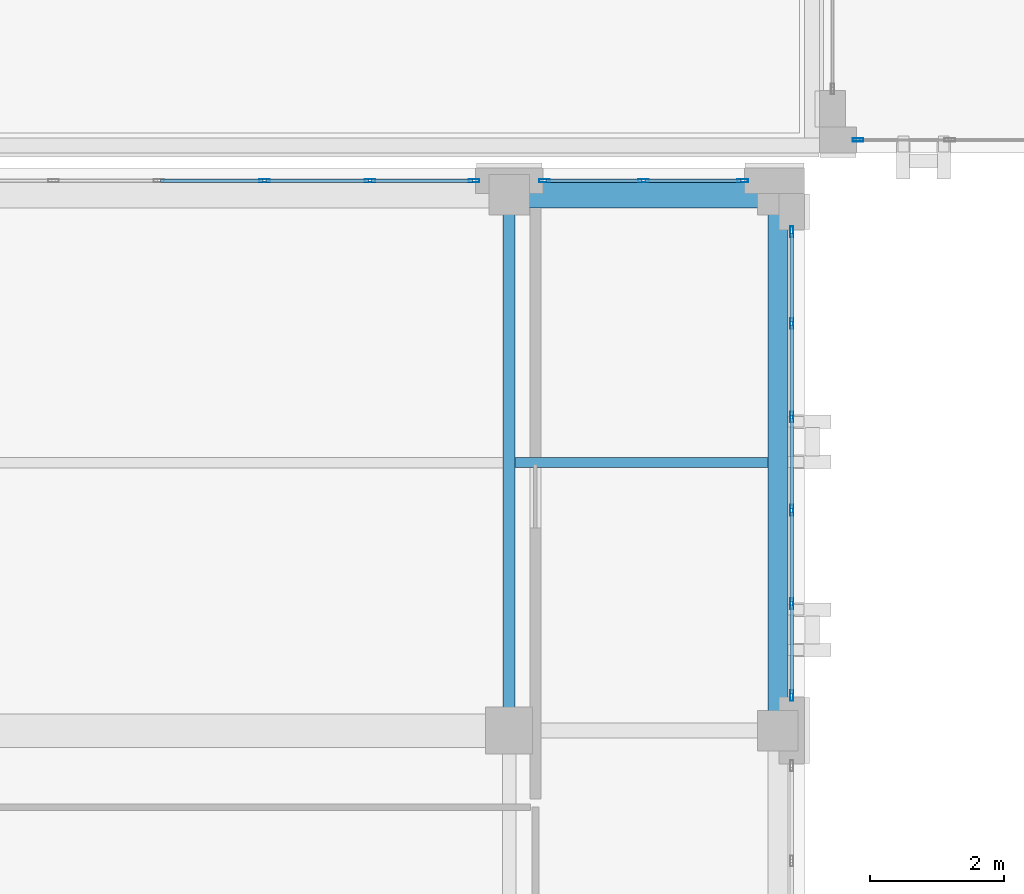
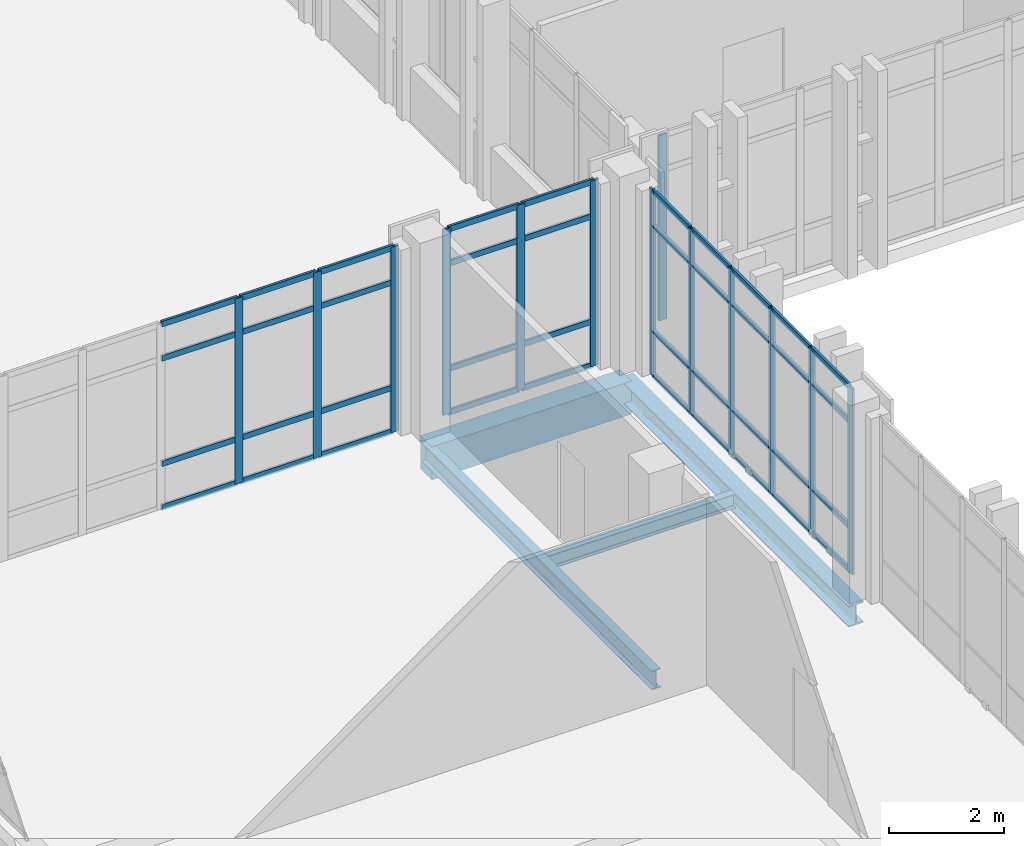
# One storey, part 38 of 90: 53 members, 4 beams, 4 elements without a shape of their own.
"""IFC4 building model written with IfcOpenShell, lengths in metres."""

from ifc_helpers import new_model, si_unit, direction, frame, origin, origin_2d, place, context, subcontext, project, spatial, rectangle, hollow_rectangle, i_section, extrude, material, layer, layer_set, material_profile, profile_set, type_object, element, aggregate, save


model = new_model("IFC4")

# Units and contexts
model_context = context("Model", 3, precision=1e-05, world=origin(), true_north=direction((0.0, 1.0)))
body_context = subcontext(model_context, "Body", "Model", "MODEL_VIEW")
ifc_project = project(units=[si_unit("LENGTHUNIT", "METRE"), si_unit("AREAUNIT", "SQUARE_METRE"), si_unit("VOLUMEUNIT", "CUBIC_METRE"), si_unit("PLANEANGLEUNIT", "RADIAN"), si_unit("MASSUNIT", "GRAM", prefix="KILO")], contexts=[model_context])

# Site, building, storey
site_placement = place(None, origin())
site = spatial("IfcSite", under=ifc_project, at=site_placement, CompositionType="ELEMENT")
building_placement = place(site_placement, origin())
building = spatial("IfcBuilding", under=site, at=building_placement, Name="Qalavern Law Courts", CompositionType="ELEMENT")
storey_placement = place(building_placement, frame((0.0, 0.0, 22.800048828125)))
storey = spatial("IfcBuildingStorey", under=building, at=storey_placement, Name="L05", CompositionType="ELEMENT", Elevation=22.800048828125)

# Curtain wall, members
ifc_material_1 = material(Name="Anodised aluminium and insulated glazing", Category="aluminium")
ifc_layer_1 = layer(ifc_material_1, 0.159912109375)
ifc_layer_set_1 = layer_set([ifc_layer_1], Name="Anodised aluminium and insulated glazing")
curtain_wall_type_1 = type_object("IfcCurtainWallType", Name="ENV-CW-CHAMB", PredefinedType="USERDEFINED", material=ifc_layer_set_1)
curtain_wall_1_placement = place(storey_placement, origin())
curtain_wall_1 = element("IfcCurtainWall", 1, at=curtain_wall_1_placement, inside=storey, type_object=curtain_wall_type_1, Name="V3 unitised curtain wall L05 east 7", ObjectType="UNITISED CURTAIN WALL", PredefinedType="USERDEFINED")
ifc_material_2 = material(Name="Anodised aluminium", Category="aluminium")
ifc_material_profile_1 = material_profile(ifc_material_2, hollow_rectangle(XDim=0.048095703125, YDim=0.159912109375, WallThickness=0.00390625, at=origin_2d()), Name="ALU MULLION 48x160")
ifc_profile_set_1 = profile_set([ifc_material_profile_1], Name="Anodised aluminium")
member_type_1 = type_object("IfcMemberType", Name="ENV-CWM-48x160", PredefinedType="MULLION", material=ifc_profile_set_1)
member_1_placement = place(storey_placement, frame((18.607421875, 88.1240234375, 0.0), z_axis=(0.0, 0.0, 1.0), x_axis=(-1.0, 0.0, 0.0)))
member_1 = element("IfcMember", 2, at=member_1_placement, type_object=member_type_1, Name="CW-04 mullion 1", PredefinedType="MULLION", context=body_context, shape_type="SweptSolid", body=[
    extrude(hollow_rectangle(XDim=0.048095703125, YDim=0.159912109375, WallThickness=0.00390625, at=origin_2d()), origin(), (0.0, 0.0, 1.0), 3.929931640625),
])
member_2_placement = place(storey_placement, frame((18.607421875, 89.489990234375, 0.0), z_axis=(0.0, 0.0, 1.0), x_axis=(-1.0, 0.0, 0.0)))
member_2 = element("IfcMember", 3, at=member_2_placement, type_object=member_type_1, Name="CW-04 mullion 2", PredefinedType="MULLION", context=body_context, shape_type="SweptSolid", body=[
    extrude(hollow_rectangle(XDim=0.048095703125, YDim=0.159912109375, WallThickness=0.00390625, at=origin_2d()), origin(), (0.0, 0.0, 1.0), 3.929931640625),
])
member_3_placement = place(storey_placement, frame((18.607421875, 90.8798828125, 0.0), z_axis=(0.0, 0.0, 1.0), x_axis=(-1.0, 0.0, 0.0)))
member_3 = element("IfcMember", 4, at=member_3_placement, type_object=member_type_1, Name="CW-04 mullion 3", PredefinedType="MULLION", context=body_context, shape_type="SweptSolid", body=[
    extrude(hollow_rectangle(XDim=0.048095703125, YDim=0.159912109375, WallThickness=0.00390625, at=origin_2d()), origin(), (0.0, 0.0, 1.0), 3.929931640625),
])
member_4_placement = place(storey_placement, frame((18.607421875, 92.27001953125, 0.0), z_axis=(0.0, 0.0, 1.0), x_axis=(-1.0, 0.0, 0.0)))
member_4 = element("IfcMember", 5, at=member_4_placement, type_object=member_type_1, Name="CW-04 mullion 4", PredefinedType="MULLION", context=body_context, shape_type="SweptSolid", body=[
    extrude(hollow_rectangle(XDim=0.048095703125, YDim=0.159912109375, WallThickness=0.00390625, at=origin_2d()), origin(), (0.0, 0.0, 1.0), 3.929931640625),
])
member_5_placement = place(storey_placement, frame((18.607421875, 93.659912109375, 0.0), z_axis=(0.0, 0.0, 1.0), x_axis=(-1.0, 0.0, 0.0)))
member_5 = element("IfcMember", 6, at=member_5_placement, type_object=member_type_1, Name="CW-04 mullion 5", PredefinedType="MULLION", context=body_context, shape_type="SweptSolid", body=[
    extrude(hollow_rectangle(XDim=0.048095703125, YDim=0.159912109375, WallThickness=0.00390625, at=origin_2d()), origin(), (0.0, 0.0, 1.0), 3.929931640625),
])
member_6_placement = place(storey_placement, frame((18.607421875, 95.02587890625, 0.0), z_axis=(0.0, 0.0, 1.0), x_axis=(-1.0, 0.0, 0.0)))
member_6 = element("IfcMember", 7, at=member_6_placement, type_object=member_type_1, Name="CW-04 mullion 6", PredefinedType="MULLION", context=body_context, shape_type="SweptSolid", body=[
    extrude(hollow_rectangle(XDim=0.048095703125, YDim=0.159912109375, WallThickness=0.00390625, at=origin_2d()), origin(), (0.0, 0.0, 1.0), 3.929931640625),
])

curtain_wall_2_placement = place(storey_placement, origin())
curtain_wall_2 = element("IfcCurtainWall", 8, at=curtain_wall_2_placement, inside=storey, type_object=curtain_wall_type_1, Name="V3 unitised curtain wall L05 north 1", ObjectType="UNITISED CURTAIN WALL", PredefinedType="USERDEFINED")
member_7_placement = place(storey_placement, frame((17.8759765625, 95.78759765625, 0.0), z_axis=(0.0, 0.0, 1.0), x_axis=(0.0, -1.0, 0.0)))
member_7 = element("IfcMember", 9, at=member_7_placement, type_object=member_type_1, Name="CW-04 mullion 1", PredefinedType="MULLION", context=body_context, shape_type="SweptSolid", body=[
    extrude(hollow_rectangle(XDim=0.048095703125, YDim=0.159912109375, WallThickness=0.00390625, at=origin_2d()), origin(), (0.0, 0.0, 1.0), 3.929931640625),
])
member_8_placement = place(storey_placement, frame((16.39990234375, 95.78759765625, 0.0), z_axis=(0.0, 0.0, 1.0), x_axis=(0.0, -1.0, 0.0)))
member_8 = element("IfcMember", 10, at=member_8_placement, type_object=member_type_1, Name="CW-04 mullion 2", PredefinedType="MULLION", context=body_context, shape_type="SweptSolid", body=[
    extrude(hollow_rectangle(XDim=0.048095703125, YDim=0.159912109375, WallThickness=0.00390625, at=origin_2d()), origin(), (0.0, 0.0, 1.0), 3.929931640625),
])
member_9_placement = place(storey_placement, frame((14.924072265625, 95.78759765625, 0.0), z_axis=(0.0, 0.0, 1.0), x_axis=(0.0, -1.0, 0.0)))
member_9 = element("IfcMember", 11, at=member_9_placement, type_object=member_type_1, Name="CW-04 mullion 3", PredefinedType="MULLION", context=body_context, shape_type="SweptSolid", body=[
    extrude(hollow_rectangle(XDim=0.048095703125, YDim=0.159912109375, WallThickness=0.00390625, at=origin_2d()), origin(), (0.0, 0.0, 1.0), 3.929931640625),
])

curtain_wall_3_placement = place(storey_placement, origin())
curtain_wall_3 = element("IfcCurtainWall", 12, at=curtain_wall_3_placement, inside=storey, type_object=curtain_wall_type_1, Name="V3 unitised curtain wall L05 north 2", ObjectType="UNITISED CURTAIN WALL", PredefinedType="USERDEFINED")
member_10_placement = place(storey_placement, frame((13.8759765625, 95.78759765625, 0.0), z_axis=(0.0, 0.0, 1.0), x_axis=(0.0, -1.0, 0.0)))
member_10 = element("IfcMember", 13, at=member_10_placement, type_object=member_type_1, Name="CW-04 mullion 1", PredefinedType="MULLION", context=body_context, shape_type="SweptSolid", body=[
    extrude(hollow_rectangle(XDim=0.048095703125, YDim=0.159912109375, WallThickness=0.00390625, at=origin_2d()), origin(), (0.0, 0.0, 1.0), 3.929931640625),
])
member_11_placement = place(storey_placement, frame((12.32861328125, 95.78759765625, 0.0), z_axis=(0.0, 0.0, 1.0), x_axis=(0.0, -1.0, 0.0)))
member_11 = element("IfcMember", 14, at=member_11_placement, type_object=member_type_1, Name="CW-04 mullion 2", PredefinedType="MULLION", context=body_context, shape_type="SweptSolid", body=[
    extrude(hollow_rectangle(XDim=0.048095703125, YDim=0.159912109375, WallThickness=0.00390625, at=origin_2d()), origin(), (0.0, 0.0, 1.0), 3.929931640625),
])
member_12_placement = place(storey_placement, frame((10.757080078125, 95.78759765625, 0.0), z_axis=(0.0, 0.0, 1.0), x_axis=(0.0, -1.0, 0.0)))
member_12 = element("IfcMember", 15, at=member_12_placement, type_object=member_type_1, Name="CW-04 mullion 3", PredefinedType="MULLION", context=body_context, shape_type="SweptSolid", body=[
    extrude(hollow_rectangle(XDim=0.048095703125, YDim=0.159912109375, WallThickness=0.00390625, at=origin_2d()), origin(), (0.0, 0.0, 1.0), 3.929931640625),
])

# Curtain wall, member
ifc_layer_2 = layer(ifc_material_1, 0.166015625)
ifc_layer_set_2 = layer_set([ifc_layer_2], Name="Anodised aluminium and insulated glazing")
curtain_wall_type_2 = type_object("IfcCurtainWallType", Name="ENV-CW-LIB", PredefinedType="USERDEFINED", material=ifc_layer_set_2)
curtain_wall_4_placement = place(storey_placement, origin())
curtain_wall_4 = element("IfcCurtainWall", 16, at=curtain_wall_4_placement, inside=storey, type_object=curtain_wall_type_2, Name="V5 unitised curtain wall L05 south 1", ObjectType="UNITISED CURTAIN WALL", PredefinedType="USERDEFINED")
member_13_placement = place(storey_placement, frame((19.593994140625, 96.392578125, 0.0), z_axis=(0.0, 0.0, 1.0), x_axis=(0.0, 1.0, 0.0)))
member_13 = element("IfcMember", 17, at=member_13_placement, type_object=member_type_1, Name="CW-05 mullion 1", PredefinedType="MULLION", context=body_context, shape_type="SweptSolid", body=[
    extrude(hollow_rectangle(XDim=0.048095703125, YDim=0.159912109375, WallThickness=0.00390625, at=origin_2d()), origin(), (0.0, 0.0, 1.0), 3.929931640625),
])
aggregate(curtain_wall_4, [member_13])

# Member
ifc_material_profile_2 = material_profile(ifc_material_2, hollow_rectangle(XDim=0.048095703125, YDim=0.1201171875, WallThickness=0.00390625, at=origin_2d()), Name="ALU TRANSOM 48x120")
ifc_profile_set_2 = profile_set([ifc_material_profile_2], Name="Anodised aluminium")
member_type_2 = type_object("IfcMemberType", Name="ENV-CWT-48x120", PredefinedType="USERDEFINED", material=ifc_profile_set_2)
member_14_placement = place(storey_placement, frame((18.607421875, 88.14794921875, 0.02392578125), z_axis=(0.0, 1.0, 0.0), x_axis=(-1.0, 0.0, 0.0)))
member_14 = element("IfcMember", 18, at=member_14_placement, type_object=member_type_2, Name="CW-04 transom 1.1", ObjectType="TRANSOM", PredefinedType="USERDEFINED", context=body_context, shape_type="SweptSolid", body=[
    extrude(hollow_rectangle(XDim=0.048095703125, YDim=0.1201171875, WallThickness=0.00390625, at=origin_2d()), origin(), (0.0, 0.0, 1.0), 1.318115234375),
])

member_15_placement = place(storey_placement, frame((18.607421875, 88.14794921875, 0.949951171875), z_axis=(0.0, 1.0, 0.0), x_axis=(-1.0, 0.0, 0.0)))
member_15 = element("IfcMember", 19, at=member_15_placement, type_object=member_type_2, Name="CW-04 transom 1.2", ObjectType="TRANSOM", PredefinedType="USERDEFINED", context=body_context, shape_type="SweptSolid", body=[
    extrude(hollow_rectangle(XDim=0.048095703125, YDim=0.1201171875, WallThickness=0.00390625, at=origin_2d()), origin(), (0.0, 0.0, 1.0), 1.318115234375),
])

member_16_placement = place(storey_placement, frame((18.607421875, 88.14794921875, 3.179931640625), z_axis=(0.0, 1.0, 0.0), x_axis=(-1.0, 0.0, 0.0)))
member_16 = element("IfcMember", 20, at=member_16_placement, type_object=member_type_2, Name="CW-04 transom 1.3", ObjectType="TRANSOM", PredefinedType="USERDEFINED", context=body_context, shape_type="SweptSolid", body=[
    extrude(hollow_rectangle(XDim=0.048095703125, YDim=0.1201171875, WallThickness=0.00390625, at=origin_2d()), origin(), (0.0, 0.0, 1.0), 1.318115234375),
])

member_17_placement = place(storey_placement, frame((18.607421875, 88.14794921875, 3.906005859375), z_axis=(0.0, 1.0, 0.0), x_axis=(-1.0, 0.0, 0.0)))
member_17 = element("IfcMember", 21, at=member_17_placement, type_object=member_type_2, Name="CW-04 transom 1.4", ObjectType="TRANSOM", PredefinedType="USERDEFINED", context=body_context, shape_type="SweptSolid", body=[
    extrude(hollow_rectangle(XDim=0.048095703125, YDim=0.1201171875, WallThickness=0.00390625, at=origin_2d()), origin(), (0.0, 0.0, 1.0), 1.318115234375),
])

member_18_placement = place(storey_placement, frame((18.607421875, 89.513916015625, 0.02392578125), z_axis=(0.0, 1.0, 0.0), x_axis=(-1.0, 0.0, 0.0)))
member_18 = element("IfcMember", 22, at=member_18_placement, type_object=member_type_2, Name="CW-04 transom 2.1", ObjectType="TRANSOM", PredefinedType="USERDEFINED", context=body_context, shape_type="SweptSolid", body=[
    extrude(hollow_rectangle(XDim=0.048095703125, YDim=0.1201171875, WallThickness=0.00390625, at=origin_2d()), origin(), (0.0, 0.0, 1.0), 1.342041015625),
])

member_19_placement = place(storey_placement, frame((18.607421875, 89.513916015625, 0.949951171875), z_axis=(0.0, 1.0, 0.0), x_axis=(-1.0, 0.0, 0.0)))
member_19 = element("IfcMember", 23, at=member_19_placement, type_object=member_type_2, Name="CW-04 transom 2.2", ObjectType="TRANSOM", PredefinedType="USERDEFINED", context=body_context, shape_type="SweptSolid", body=[
    extrude(hollow_rectangle(XDim=0.048095703125, YDim=0.1201171875, WallThickness=0.00390625, at=origin_2d()), origin(), (0.0, 0.0, 1.0), 1.342041015625),
])

member_20_placement = place(storey_placement, frame((18.607421875, 89.513916015625, 3.179931640625), z_axis=(0.0, 1.0, 0.0), x_axis=(-1.0, 0.0, 0.0)))
member_20 = element("IfcMember", 24, at=member_20_placement, type_object=member_type_2, Name="CW-04 transom 2.3", ObjectType="TRANSOM", PredefinedType="USERDEFINED", context=body_context, shape_type="SweptSolid", body=[
    extrude(hollow_rectangle(XDim=0.048095703125, YDim=0.1201171875, WallThickness=0.00390625, at=origin_2d()), origin(), (0.0, 0.0, 1.0), 1.342041015625),
])

member_21_placement = place(storey_placement, frame((18.607421875, 89.513916015625, 3.906005859375), z_axis=(0.0, 1.0, 0.0), x_axis=(-1.0, 0.0, 0.0)))
member_21 = element("IfcMember", 25, at=member_21_placement, type_object=member_type_2, Name="CW-04 transom 2.4", ObjectType="TRANSOM", PredefinedType="USERDEFINED", context=body_context, shape_type="SweptSolid", body=[
    extrude(hollow_rectangle(XDim=0.048095703125, YDim=0.1201171875, WallThickness=0.00390625, at=origin_2d()), origin(), (0.0, 0.0, 1.0), 1.342041015625),
])

member_22_placement = place(storey_placement, frame((18.607421875, 90.904052734375, 0.02392578125), z_axis=(0.0, 1.0, 0.0), x_axis=(-1.0, 0.0, 0.0)))
member_22 = element("IfcMember", 26, at=member_22_placement, type_object=member_type_2, Name="CW-04 transom 3.1", ObjectType="TRANSOM", PredefinedType="USERDEFINED", context=body_context, shape_type="SweptSolid", body=[
    extrude(hollow_rectangle(XDim=0.048095703125, YDim=0.1201171875, WallThickness=0.00390625, at=origin_2d()), origin(), (0.0, 0.0, 1.0), 1.342041015625),
])

member_23_placement = place(storey_placement, frame((18.607421875, 90.904052734375, 0.949951171875), z_axis=(0.0, 1.0, 0.0), x_axis=(-1.0, 0.0, 0.0)))
member_23 = element("IfcMember", 27, at=member_23_placement, type_object=member_type_2, Name="CW-04 transom 3.2", ObjectType="TRANSOM", PredefinedType="USERDEFINED", context=body_context, shape_type="SweptSolid", body=[
    extrude(hollow_rectangle(XDim=0.048095703125, YDim=0.1201171875, WallThickness=0.00390625, at=origin_2d()), origin(), (0.0, 0.0, 1.0), 1.342041015625),
])

member_24_placement = place(storey_placement, frame((18.607421875, 90.904052734375, 3.179931640625), z_axis=(0.0, 1.0, 0.0), x_axis=(-1.0, 0.0, 0.0)))
member_24 = element("IfcMember", 28, at=member_24_placement, type_object=member_type_2, Name="CW-04 transom 3.3", ObjectType="TRANSOM", PredefinedType="USERDEFINED", context=body_context, shape_type="SweptSolid", body=[
    extrude(hollow_rectangle(XDim=0.048095703125, YDim=0.1201171875, WallThickness=0.00390625, at=origin_2d()), origin(), (0.0, 0.0, 1.0), 1.342041015625),
])

member_25_placement = place(storey_placement, frame((18.607421875, 90.904052734375, 3.906005859375), z_axis=(0.0, 1.0, 0.0), x_axis=(-1.0, 0.0, 0.0)))
member_25 = element("IfcMember", 29, at=member_25_placement, type_object=member_type_2, Name="CW-04 transom 3.4", ObjectType="TRANSOM", PredefinedType="USERDEFINED", context=body_context, shape_type="SweptSolid", body=[
    extrude(hollow_rectangle(XDim=0.048095703125, YDim=0.1201171875, WallThickness=0.00390625, at=origin_2d()), origin(), (0.0, 0.0, 1.0), 1.342041015625),
])

member_26_placement = place(storey_placement, frame((18.607421875, 92.2939453125, 0.02392578125), z_axis=(0.0, 1.0, 0.0), x_axis=(-1.0, 0.0, 0.0)))
member_26 = element("IfcMember", 30, at=member_26_placement, type_object=member_type_2, Name="CW-04 transom 4.1", ObjectType="TRANSOM", PredefinedType="USERDEFINED", context=body_context, shape_type="SweptSolid", body=[
    extrude(hollow_rectangle(XDim=0.048095703125, YDim=0.1201171875, WallThickness=0.00390625, at=origin_2d()), origin(), (0.0, 0.0, 1.0), 1.342041015625),
])

member_27_placement = place(storey_placement, frame((18.607421875, 92.2939453125, 0.949951171875), z_axis=(0.0, 1.0, 0.0), x_axis=(-1.0, 0.0, 0.0)))
member_27 = element("IfcMember", 31, at=member_27_placement, type_object=member_type_2, Name="CW-04 transom 4.2", ObjectType="TRANSOM", PredefinedType="USERDEFINED", context=body_context, shape_type="SweptSolid", body=[
    extrude(hollow_rectangle(XDim=0.048095703125, YDim=0.1201171875, WallThickness=0.00390625, at=origin_2d()), origin(), (0.0, 0.0, 1.0), 1.342041015625),
])

member_28_placement = place(storey_placement, frame((18.607421875, 92.2939453125, 3.179931640625), z_axis=(0.0, 1.0, 0.0), x_axis=(-1.0, 0.0, 0.0)))
member_28 = element("IfcMember", 32, at=member_28_placement, type_object=member_type_2, Name="CW-04 transom 4.3", ObjectType="TRANSOM", PredefinedType="USERDEFINED", context=body_context, shape_type="SweptSolid", body=[
    extrude(hollow_rectangle(XDim=0.048095703125, YDim=0.1201171875, WallThickness=0.00390625, at=origin_2d()), origin(), (0.0, 0.0, 1.0), 1.342041015625),
])

member_29_placement = place(storey_placement, frame((18.607421875, 92.2939453125, 3.906005859375), z_axis=(0.0, 1.0, 0.0), x_axis=(-1.0, 0.0, 0.0)))
member_29 = element("IfcMember", 33, at=member_29_placement, type_object=member_type_2, Name="CW-04 transom 4.4", ObjectType="TRANSOM", PredefinedType="USERDEFINED", context=body_context, shape_type="SweptSolid", body=[
    extrude(hollow_rectangle(XDim=0.048095703125, YDim=0.1201171875, WallThickness=0.00390625, at=origin_2d()), origin(), (0.0, 0.0, 1.0), 1.342041015625),
])

member_30_placement = place(storey_placement, frame((18.607421875, 93.68408203125, 0.02392578125), z_axis=(0.0, 1.0, 0.0), x_axis=(-1.0, 0.0, 0.0)))
member_30 = element("IfcMember", 34, at=member_30_placement, type_object=member_type_2, Name="CW-04 transom 5.1", ObjectType="TRANSOM", PredefinedType="USERDEFINED", context=body_context, shape_type="SweptSolid", body=[
    extrude(hollow_rectangle(XDim=0.048095703125, YDim=0.1201171875, WallThickness=0.00390625, at=origin_2d()), origin(), (0.0, 0.0, 1.0), 1.31787109375),
])

member_31_placement = place(storey_placement, frame((18.607421875, 93.68408203125, 0.949951171875), z_axis=(0.0, 1.0, 0.0), x_axis=(-1.0, 0.0, 0.0)))
member_31 = element("IfcMember", 35, at=member_31_placement, type_object=member_type_2, Name="CW-04 transom 5.2", ObjectType="TRANSOM", PredefinedType="USERDEFINED", context=body_context, shape_type="SweptSolid", body=[
    extrude(hollow_rectangle(XDim=0.048095703125, YDim=0.1201171875, WallThickness=0.00390625, at=origin_2d()), origin(), (0.0, 0.0, 1.0), 1.31787109375),
])

member_32_placement = place(storey_placement, frame((18.607421875, 93.68408203125, 3.179931640625), z_axis=(0.0, 1.0, 0.0), x_axis=(-1.0, 0.0, 0.0)))
member_32 = element("IfcMember", 36, at=member_32_placement, type_object=member_type_2, Name="CW-04 transom 5.3", ObjectType="TRANSOM", PredefinedType="USERDEFINED", context=body_context, shape_type="SweptSolid", body=[
    extrude(hollow_rectangle(XDim=0.048095703125, YDim=0.1201171875, WallThickness=0.00390625, at=origin_2d()), origin(), (0.0, 0.0, 1.0), 1.31787109375),
])

member_33_placement = place(storey_placement, frame((18.607421875, 93.68408203125, 3.906005859375), z_axis=(0.0, 1.0, 0.0), x_axis=(-1.0, 0.0, 0.0)))
member_33 = element("IfcMember", 37, at=member_33_placement, type_object=member_type_2, Name="CW-04 transom 5.4", ObjectType="TRANSOM", PredefinedType="USERDEFINED", context=body_context, shape_type="SweptSolid", body=[
    extrude(hollow_rectangle(XDim=0.048095703125, YDim=0.1201171875, WallThickness=0.00390625, at=origin_2d()), origin(), (0.0, 0.0, 1.0), 1.31787109375),
])

aggregate(curtain_wall_1, [member_1, member_2, member_3, member_4, member_5, member_6, member_14, member_15, member_16, member_17, member_18, member_19, member_20, member_21, member_22, member_23, member_24, member_25, member_26, member_27, member_28, member_29, member_30, member_31, member_32, member_33])

member_34_placement = place(storey_placement, frame((17.85205078125, 95.78759765625, 0.02392578125), z_axis=(-1.0, 0.0, 0.0), x_axis=(0.0, -1.0, 0.0)))
member_34 = element("IfcMember", 38, at=member_34_placement, type_object=member_type_2, Name="CW-04 transom 1.1", ObjectType="TRANSOM", PredefinedType="USERDEFINED", context=body_context, shape_type="SweptSolid", body=[
    extrude(hollow_rectangle(XDim=0.048095703125, YDim=0.1201171875, WallThickness=0.00390625, at=origin_2d()), origin(), (0.0, 0.0, 1.0), 1.427978515625),
])

member_35_placement = place(storey_placement, frame((17.85205078125, 95.78759765625, 0.949951171875), z_axis=(-1.0, 0.0, 0.0), x_axis=(0.0, -1.0, 0.0)))
member_35 = element("IfcMember", 39, at=member_35_placement, type_object=member_type_2, Name="CW-04 transom 1.2", ObjectType="TRANSOM", PredefinedType="USERDEFINED", context=body_context, shape_type="SweptSolid", body=[
    extrude(hollow_rectangle(XDim=0.048095703125, YDim=0.1201171875, WallThickness=0.00390625, at=origin_2d()), origin(), (0.0, 0.0, 1.0), 1.427978515625),
])

member_36_placement = place(storey_placement, frame((17.85205078125, 95.78759765625, 3.179931640625), z_axis=(-1.0, 0.0, 0.0), x_axis=(0.0, -1.0, 0.0)))
member_36 = element("IfcMember", 40, at=member_36_placement, type_object=member_type_2, Name="CW-04 transom 1.3", ObjectType="TRANSOM", PredefinedType="USERDEFINED", context=body_context, shape_type="SweptSolid", body=[
    extrude(hollow_rectangle(XDim=0.048095703125, YDim=0.1201171875, WallThickness=0.00390625, at=origin_2d()), origin(), (0.0, 0.0, 1.0), 1.427978515625),
])

member_37_placement = place(storey_placement, frame((17.85205078125, 95.78759765625, 3.906005859375), z_axis=(-1.0, 0.0, 0.0), x_axis=(0.0, -1.0, 0.0)))
member_37 = element("IfcMember", 41, at=member_37_placement, type_object=member_type_2, Name="CW-04 transom 1.4", ObjectType="TRANSOM", PredefinedType="USERDEFINED", context=body_context, shape_type="SweptSolid", body=[
    extrude(hollow_rectangle(XDim=0.048095703125, YDim=0.1201171875, WallThickness=0.00390625, at=origin_2d()), origin(), (0.0, 0.0, 1.0), 1.427978515625),
])

member_38_placement = place(storey_placement, frame((16.3759765625, 95.78759765625, 0.02392578125), z_axis=(-1.0, 0.0, 0.0), x_axis=(0.0, -1.0, 0.0)))
member_38 = element("IfcMember", 42, at=member_38_placement, type_object=member_type_2, Name="CW-04 transom 2.1", ObjectType="TRANSOM", PredefinedType="USERDEFINED", context=body_context, shape_type="SweptSolid", body=[
    extrude(hollow_rectangle(XDim=0.048095703125, YDim=0.1201171875, WallThickness=0.00390625, at=origin_2d()), origin(), (0.0, 0.0, 1.0), 1.427978515625),
])

member_39_placement = place(storey_placement, frame((16.3759765625, 95.78759765625, 0.949951171875), z_axis=(-1.0, 0.0, 0.0), x_axis=(0.0, -1.0, 0.0)))
member_39 = element("IfcMember", 43, at=member_39_placement, type_object=member_type_2, Name="CW-04 transom 2.2", ObjectType="TRANSOM", PredefinedType="USERDEFINED", context=body_context, shape_type="SweptSolid", body=[
    extrude(hollow_rectangle(XDim=0.048095703125, YDim=0.1201171875, WallThickness=0.00390625, at=origin_2d()), origin(), (0.0, 0.0, 1.0), 1.427978515625),
])

member_40_placement = place(storey_placement, frame((16.3759765625, 95.78759765625, 3.179931640625), z_axis=(-1.0, 0.0, 0.0), x_axis=(0.0, -1.0, 0.0)))
member_40 = element("IfcMember", 44, at=member_40_placement, type_object=member_type_2, Name="CW-04 transom 2.3", ObjectType="TRANSOM", PredefinedType="USERDEFINED", context=body_context, shape_type="SweptSolid", body=[
    extrude(hollow_rectangle(XDim=0.048095703125, YDim=0.1201171875, WallThickness=0.00390625, at=origin_2d()), origin(), (0.0, 0.0, 1.0), 1.427978515625),
])

member_41_placement = place(storey_placement, frame((16.3759765625, 95.78759765625, 3.906005859375), z_axis=(-1.0, 0.0, 0.0), x_axis=(0.0, -1.0, 0.0)))
member_41 = element("IfcMember", 45, at=member_41_placement, type_object=member_type_2, Name="CW-04 transom 2.4", ObjectType="TRANSOM", PredefinedType="USERDEFINED", context=body_context, shape_type="SweptSolid", body=[
    extrude(hollow_rectangle(XDim=0.048095703125, YDim=0.1201171875, WallThickness=0.00390625, at=origin_2d()), origin(), (0.0, 0.0, 1.0), 1.427978515625),
])

aggregate(curtain_wall_2, [member_7, member_8, member_9, member_34, member_35, member_36, member_37, member_38, member_39, member_40, member_41])

member_42_placement = place(storey_placement, frame((13.85205078125, 95.78759765625, 0.02392578125), z_axis=(-1.0, 0.0, 0.0), x_axis=(0.0, -1.0, 0.0)))
member_42 = element("IfcMember", 46, at=member_42_placement, type_object=member_type_2, Name="CW-04 transom 1.1", ObjectType="TRANSOM", PredefinedType="USERDEFINED", context=body_context, shape_type="SweptSolid", body=[
    extrude(hollow_rectangle(XDim=0.048095703125, YDim=0.1201171875, WallThickness=0.00390625, at=origin_2d()), origin(), (0.0, 0.0, 1.0), 1.49951171875),
])

member_43_placement = place(storey_placement, frame((13.85205078125, 95.78759765625, 0.949951171875), z_axis=(-1.0, 0.0, 0.0), x_axis=(0.0, -1.0, 0.0)))
member_43 = element("IfcMember", 47, at=member_43_placement, type_object=member_type_2, Name="CW-04 transom 1.2", ObjectType="TRANSOM", PredefinedType="USERDEFINED", context=body_context, shape_type="SweptSolid", body=[
    extrude(hollow_rectangle(XDim=0.048095703125, YDim=0.1201171875, WallThickness=0.00390625, at=origin_2d()), origin(), (0.0, 0.0, 1.0), 1.49951171875),
])

member_44_placement = place(storey_placement, frame((13.85205078125, 95.78759765625, 3.179931640625), z_axis=(-1.0, 0.0, 0.0), x_axis=(0.0, -1.0, 0.0)))
member_44 = element("IfcMember", 48, at=member_44_placement, type_object=member_type_2, Name="CW-04 transom 1.3", ObjectType="TRANSOM", PredefinedType="USERDEFINED", context=body_context, shape_type="SweptSolid", body=[
    extrude(hollow_rectangle(XDim=0.048095703125, YDim=0.1201171875, WallThickness=0.00390625, at=origin_2d()), origin(), (0.0, 0.0, 1.0), 1.49951171875),
])

member_45_placement = place(storey_placement, frame((13.85205078125, 95.78759765625, 3.906005859375), z_axis=(-1.0, 0.0, 0.0), x_axis=(0.0, -1.0, 0.0)))
member_45 = element("IfcMember", 49, at=member_45_placement, type_object=member_type_2, Name="CW-04 transom 1.4", ObjectType="TRANSOM", PredefinedType="USERDEFINED", context=body_context, shape_type="SweptSolid", body=[
    extrude(hollow_rectangle(XDim=0.048095703125, YDim=0.1201171875, WallThickness=0.00390625, at=origin_2d()), origin(), (0.0, 0.0, 1.0), 1.49951171875),
])

member_46_placement = place(storey_placement, frame((12.3046875, 95.78759765625, 0.02392578125), z_axis=(-1.0, 0.0, 0.0), x_axis=(0.0, -1.0, 0.0)))
member_46 = element("IfcMember", 50, at=member_46_placement, type_object=member_type_2, Name="CW-04 transom 2.1", ObjectType="TRANSOM", PredefinedType="USERDEFINED", context=body_context, shape_type="SweptSolid", body=[
    extrude(hollow_rectangle(XDim=0.048095703125, YDim=0.1201171875, WallThickness=0.00390625, at=origin_2d()), origin(), (0.0, 0.0, 1.0), 1.5234375),
])

member_47_placement = place(storey_placement, frame((12.3046875, 95.78759765625, 0.949951171875), z_axis=(-1.0, 0.0, 0.0), x_axis=(0.0, -1.0, 0.0)))
member_47 = element("IfcMember", 51, at=member_47_placement, type_object=member_type_2, Name="CW-04 transom 2.2", ObjectType="TRANSOM", PredefinedType="USERDEFINED", context=body_context, shape_type="SweptSolid", body=[
    extrude(hollow_rectangle(XDim=0.048095703125, YDim=0.1201171875, WallThickness=0.00390625, at=origin_2d()), origin(), (0.0, 0.0, 1.0), 1.5234375),
])

member_48_placement = place(storey_placement, frame((12.3046875, 95.78759765625, 3.179931640625), z_axis=(-1.0, 0.0, 0.0), x_axis=(0.0, -1.0, 0.0)))
member_48 = element("IfcMember", 52, at=member_48_placement, type_object=member_type_2, Name="CW-04 transom 2.3", ObjectType="TRANSOM", PredefinedType="USERDEFINED", context=body_context, shape_type="SweptSolid", body=[
    extrude(hollow_rectangle(XDim=0.048095703125, YDim=0.1201171875, WallThickness=0.00390625, at=origin_2d()), origin(), (0.0, 0.0, 1.0), 1.5234375),
])

member_49_placement = place(storey_placement, frame((12.3046875, 95.78759765625, 3.906005859375), z_axis=(-1.0, 0.0, 0.0), x_axis=(0.0, -1.0, 0.0)))
member_49 = element("IfcMember", 53, at=member_49_placement, type_object=member_type_2, Name="CW-04 transom 2.4", ObjectType="TRANSOM", PredefinedType="USERDEFINED", context=body_context, shape_type="SweptSolid", body=[
    extrude(hollow_rectangle(XDim=0.048095703125, YDim=0.1201171875, WallThickness=0.00390625, at=origin_2d()), origin(), (0.0, 0.0, 1.0), 1.5234375),
])

member_50_placement = place(storey_placement, frame((10.733154296875, 95.78759765625, 0.02392578125), z_axis=(-1.0, 0.0, 0.0), x_axis=(0.0, -1.0, 0.0)))
member_50 = element("IfcMember", 54, at=member_50_placement, type_object=member_type_2, Name="CW-04 transom 3.1", ObjectType="TRANSOM", PredefinedType="USERDEFINED", context=body_context, shape_type="SweptSolid", body=[
    extrude(hollow_rectangle(XDim=0.048095703125, YDim=0.1201171875, WallThickness=0.00390625, at=origin_2d()), origin(), (0.0, 0.0, 1.0), 1.5234375),
])

member_51_placement = place(storey_placement, frame((10.733154296875, 95.78759765625, 0.949951171875), z_axis=(-1.0, 0.0, 0.0), x_axis=(0.0, -1.0, 0.0)))
member_51 = element("IfcMember", 55, at=member_51_placement, type_object=member_type_2, Name="CW-04 transom 3.2", ObjectType="TRANSOM", PredefinedType="USERDEFINED", context=body_context, shape_type="SweptSolid", body=[
    extrude(hollow_rectangle(XDim=0.048095703125, YDim=0.1201171875, WallThickness=0.00390625, at=origin_2d()), origin(), (0.0, 0.0, 1.0), 1.5234375),
])

member_52_placement = place(storey_placement, frame((10.733154296875, 95.78759765625, 3.179931640625), z_axis=(-1.0, 0.0, 0.0), x_axis=(0.0, -1.0, 0.0)))
member_52 = element("IfcMember", 56, at=member_52_placement, type_object=member_type_2, Name="CW-04 transom 3.3", ObjectType="TRANSOM", PredefinedType="USERDEFINED", context=body_context, shape_type="SweptSolid", body=[
    extrude(hollow_rectangle(XDim=0.048095703125, YDim=0.1201171875, WallThickness=0.00390625, at=origin_2d()), origin(), (0.0, 0.0, 1.0), 1.5234375),
])

member_53_placement = place(storey_placement, frame((10.733154296875, 95.78759765625, 3.906005859375), z_axis=(-1.0, 0.0, 0.0), x_axis=(0.0, -1.0, 0.0)))
member_53 = element("IfcMember", 57, at=member_53_placement, type_object=member_type_2, Name="CW-04 transom 3.4", ObjectType="TRANSOM", PredefinedType="USERDEFINED", context=body_context, shape_type="SweptSolid", body=[
    extrude(hollow_rectangle(XDim=0.048095703125, YDim=0.1201171875, WallThickness=0.00390625, at=origin_2d()), origin(), (0.0, 0.0, 1.0), 1.5234375),
])

aggregate(curtain_wall_3, [member_10, member_11, member_12, member_42, member_43, member_44, member_45, member_46, member_47, member_48, member_49, member_50, member_51, member_52, member_53])

# Beams
ifc_material_3 = material(Name="Steel S355", Category="steel")
ifc_material_profile_3 = material_profile(ifc_material_3, i_section(OverallWidth=0.179931640625, OverallDepth=0.39990234375, WebThickness=0.008544921875, FlangeThickness=0.013427734375, FilletRadius=0.02099609375, at=origin_2d()), Name="IPE 400")
ifc_profile_set_3 = profile_set([ifc_material_profile_3], Name="Steel S355")
beam_type_1 = type_object("IfcBeamType", Name="STR-BM-IPE400", PredefinedType="BEAM", material=ifc_profile_set_3)
beam_1_placement = place(storey_placement, frame((14.39990234375, 87.60009765625, -0.47509765625), z_axis=(0.0, 1.0, 0.0), x_axis=(-1.0, 0.0, 0.0)))
element("IfcBeam", 58, at=beam_1_placement, inside=storey, type_object=beam_type_1, Name="V3 Y-beam 2-7 L05", PredefinedType="BEAM", context=body_context, shape_type="SweptSolid", body=[
    extrude(i_section(OverallWidth=0.179931640625, OverallDepth=0.39990234375, WebThickness=0.008544921875, FlangeThickness=0.013427734375, FilletRadius=0.02099609375, at=origin_2d()), origin(), (0.0, 0.0, 1.0), 7.97998046875),
])
ifc_material_profile_4 = material_profile(ifc_material_3, i_section(OverallWidth=0.14990234375, OverallDepth=0.300048828125, WebThickness=0.007080078125, FlangeThickness=0.0107421875, FilletRadius=0.014892578125, at=origin_2d()), Name="IPE 300")
ifc_profile_set_4 = profile_set([ifc_material_profile_4], Name="Steel S355")
beam_type_2 = type_object("IfcBeamType", Name="STR-JST-IPE300", PredefinedType="JOIST", material=ifc_profile_set_4)
beam_2_placement = place(storey_placement, frame((14.488037109375, 91.590087890625, -0.425048828125), z_axis=(1.0, 0.0, 0.0), x_axis=(0.0, 1.0, 0.0)))
element("IfcBeam", 59, at=beam_2_placement, inside=storey, type_object=beam_type_2, Name="V3 secondary joist 2.7.1 L05", PredefinedType="JOIST", context=body_context, shape_type="SweptSolid", body=[
    extrude(i_section(OverallWidth=0.14990234375, OverallDepth=0.300048828125, WebThickness=0.007080078125, FlangeThickness=0.0107421875, FilletRadius=0.014892578125, at=origin_2d()), origin(), (0.0, 0.0, 1.0), 3.763916015625),
])
ifc_material_profile_5 = material_profile(ifc_material_3, i_section(OverallWidth=0.300048828125, OverallDepth=0.449951171875, WebThickness=0.013916015625, FlangeThickness=0.02587890625, FilletRadius=0.027099609375, at=origin_2d()), Name="HEB 450")
ifc_profile_set_5 = profile_set([ifc_material_profile_5], Name="Steel S355")
beam_type_3 = type_object("IfcBeamType", Name="STR-SP-HEB450", PredefinedType="SPANDREL", material=ifc_profile_set_5)
beam_3_placement = place(storey_placement, frame((18.39990234375, 87.60009765625, -0.5), z_axis=(0.0, 1.0, 0.0), x_axis=(-1.0, 0.0, 0.0)))
element("IfcBeam", 60, at=beam_3_placement, inside=storey, type_object=beam_type_3, Name="V3 Y-beam 3-7 L05", PredefinedType="SPANDREL", context=body_context, shape_type="SweptSolid", body=[
    extrude(i_section(OverallWidth=0.300048828125, OverallDepth=0.449951171875, WebThickness=0.013916015625, FlangeThickness=0.02587890625, FilletRadius=0.027099609375, at=origin_2d()), origin(), (0.0, 0.0, 1.0), 7.97998046875),
])
ifc_material_4 = material(Name="Concrete C40/50", Category="concrete")
ifc_material_profile_6 = material_profile(ifc_material_4, rectangle(XDim=0.39990234375, YDim=0.699951171875, at=origin_2d()), Name="RC 400x700")
ifc_profile_set_6 = profile_set([ifc_material_profile_6], Name="Concrete C40/50")
beam_type_4 = type_object("IfcBeamType", Name="STR-SP-RC400x700", PredefinedType="SPANDREL", material=ifc_profile_set_6)
beam_4_placement = place(storey_placement, frame((14.39990234375, 95.580078125, -0.625), z_axis=(1.0, 0.0, 0.0), x_axis=(0.0, 1.0, 0.0)))
element("IfcBeam", 61, at=beam_4_placement, inside=storey, type_object=beam_type_4, Name="V3 X-beam 8-2 L05", PredefinedType="SPANDREL", context=body_context, shape_type="SweptSolid", body=[
    extrude(rectangle(XDim=0.39990234375, YDim=0.699951171875, at=origin_2d()), origin(), (0.0, 0.0, 1.0), 4.0),
])

save(model, "model.ifc")
